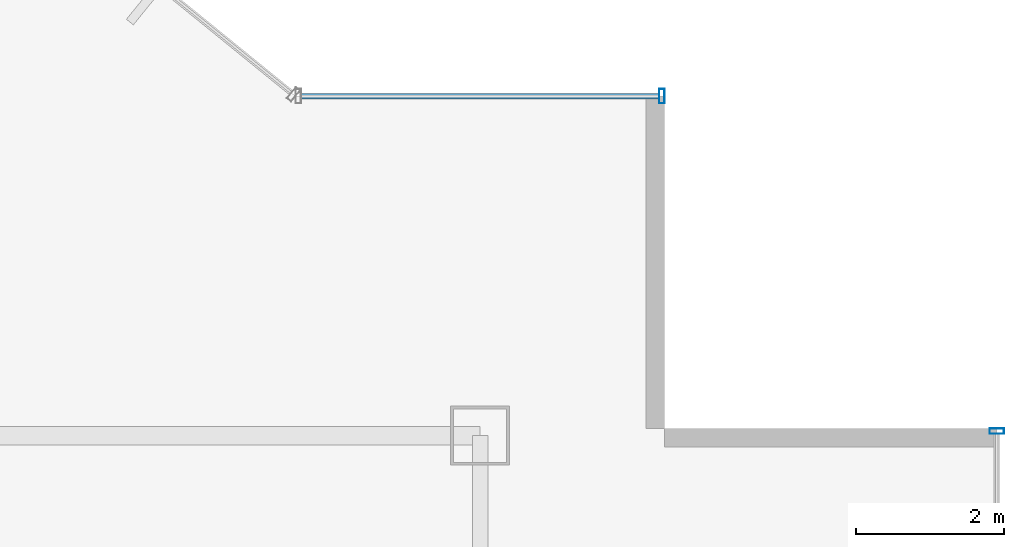
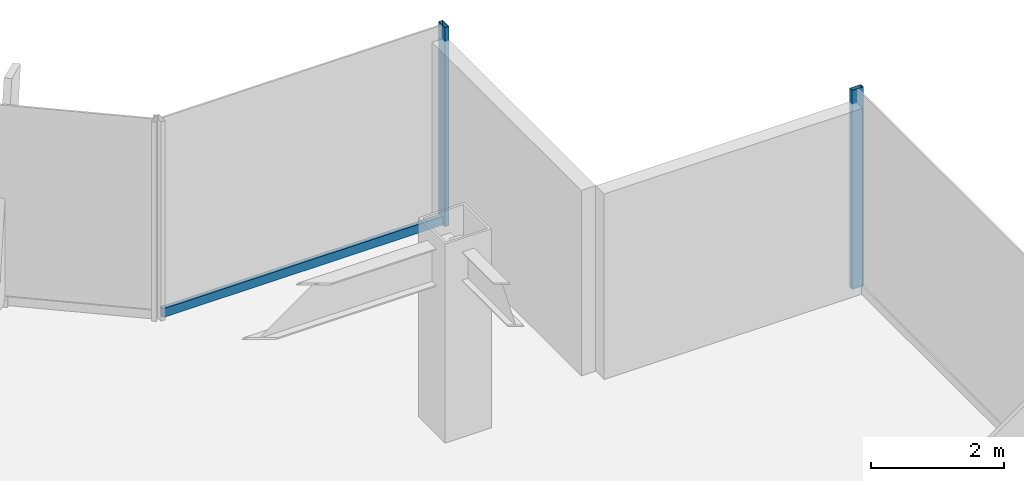
# One storey, part 19 of 26: 3 members, 2 elements without a shape of their own.
"""IFC4 building model written with IfcOpenShell, lengths in metres."""

from ifc_helpers import new_model, si_unit, derived_unit, direction, frame, origin, origin_2d, place, context, subcontext, project, spatial, hollow_rectangle, extrude, source, transform, mapped, material, material_profile, profile_set, type_object, element, aggregate, save


model = new_model("IFC4")

# Units and contexts
model_context = context("Model", 3, precision=1e-05, world=origin(), true_north=direction((0.0, 1.0)))
body_context = subcontext(model_context, "Body", "Model", "MODEL_VIEW")
ifc_project = project(units=[si_unit("LENGTHUNIT", "METRE"), si_unit("AREAUNIT", "SQUARE_METRE"), si_unit("VOLUMEUNIT", "CUBIC_METRE"), si_unit("PLANEANGLEUNIT", "RADIAN"), si_unit("MASSUNIT", "GRAM", prefix="KILO"), derived_unit("THERMALTRANSMITTANCEUNIT", [(si_unit("POWERUNIT", "WATT"), 1), (si_unit("LENGTHUNIT", "METRE"), -2), (si_unit("THERMODYNAMICTEMPERATUREUNIT", "KELVIN"), -1)])], contexts=[model_context])

# Site, building, storey
site_placement = place(None, origin())
site = spatial("IfcSite", under=ifc_project, at=site_placement, CompositionType="ELEMENT")
building_placement = place(site_placement, origin())
building = spatial("IfcBuilding", under=site, at=building_placement, Name="Skarnbrae Concourse Arena and Tower", CompositionType="ELEMENT")
storey_placement = place(building_placement, frame((0.0, 0.0, 92.300048828125)))
storey = spatial("IfcBuildingStorey", under=building, at=storey_placement, Name="L22", CompositionType="ELEMENT", Elevation=92.300048828125)

# Curtain wall, member
ifc_material = material(Name="Bronze anodised aluminium 6063-T6", Category="aluminium")
curtain_wall_type = type_object("IfcCurtainWallType", Name="CW-SYS-04-MIDZONE", PredefinedType="USERDEFINED", material=ifc_material)
curtain_wall_1_placement = place(storey_placement, origin())
curtain_wall_1 = element("IfcCurtainWall", 1, at=curtain_wall_1_placement, inside=storey, type_object=curtain_wall_type, Name="L22 Unitised curtain wall CW-L22-E07", ObjectType="UNITISED CURTAIN WALL", PredefinedType="USERDEFINED")
ifc_material_profile_1 = material_profile(ifc_material, hollow_rectangle(XDim=0.074951171875, YDim=0.159912109375, WallThickness=0.00439453125, at=origin_2d()), Name="ALU-TRAN-75X160")
ifc_profile_set_1 = profile_set([ifc_material_profile_1], Name="Bronze anodised aluminium 6063-T6")
member_type_1 = type_object("IfcMemberType", Name="CWT-CW-04", PredefinedType="USERDEFINED", material=ifc_profile_set_1)
shared_shape_1 = source(origin(), body_context, "Body", "SweptSolid", [
    extrude(hollow_rectangle(XDim=0.074951171875, YDim=0.159912109375, WallThickness=0.00439453125, at=origin_2d()), origin(), (0.0, 0.0, 1.0), 4.85009765625),
])
member_1_placement = place(storey_placement, frame((51.425048828125, 39.0, 0.079833984375), z_axis=(-1.0, 0.0, 0.0), x_axis=(0.0, -1.0, 0.0)))
member_1 = element("IfcMember", 2, at=member_1_placement, type_object=member_type_1, Name="CW-L22-E07 Transom 1", ObjectType="TRANSOM", PredefinedType="USERDEFINED", context=body_context, shape_type="MappedRepresentation", body=[
    mapped(shared_shape_1, transform((0.0, 0.0, 0.0))),
])

curtain_wall_2_placement = place(storey_placement, origin())
curtain_wall_2 = element("IfcCurtainWall", 3, at=curtain_wall_2_placement, inside=storey, type_object=curtain_wall_type, Name="L22 Unitised curtain wall CW-L22-E04", ObjectType="UNITISED CURTAIN WALL", PredefinedType="USERDEFINED")
ifc_material_profile_2 = material_profile(ifc_material, hollow_rectangle(XDim=0.074951171875, YDim=0.195068359375, WallThickness=0.00439453125, at=origin_2d()), Name="ALU-MULL-75X195")
ifc_profile_set_2 = profile_set([ifc_material_profile_2], Name="Bronze anodised aluminium 6063-T6")
member_type_2 = type_object("IfcMemberType", Name="CWM-CW-04", PredefinedType="MULLION", material=ifc_profile_set_2)
shared_shape_2 = source(origin(), body_context, "Body", "SweptSolid", [
    extrude(hollow_rectangle(XDim=0.074951171875, YDim=0.195068359375, WallThickness=0.00439453125, at=origin_2d()), origin(), (0.0, 0.0, 1.0), 3.64990234375),
])
member_2_placement = place(storey_placement, frame((56.0, 34.46240234375, 0.0), z_axis=(0.0, 0.0, 1.0), x_axis=(0.0, 1.0, 0.0)))
member_2 = element("IfcMember", 4, at=member_2_placement, type_object=member_type_2, Name="CW-L22-E04 Mullion 5", PredefinedType="MULLION", context=body_context, shape_type="MappedRepresentation", body=[
    mapped(shared_shape_2, transform((0.0, 0.0, 0.0))),
])
aggregate(curtain_wall_2, [member_2])

# Member
member_3_placement = place(storey_placement, frame((51.46240234375, 39.0, 0.0), z_axis=(0.0, 0.0, 1.0), x_axis=(-1.0, 0.0, 0.0)))
member_3 = element("IfcMember", 5, at=member_3_placement, type_object=member_type_2, Name="CW-L22-E07 Mullion 1", PredefinedType="MULLION", context=body_context, shape_type="MappedRepresentation", body=[
    mapped(shared_shape_2, transform((0.0, 0.0, 0.0))),
])

aggregate(curtain_wall_1, [member_3, member_1])

save(model, "model.ifc")
